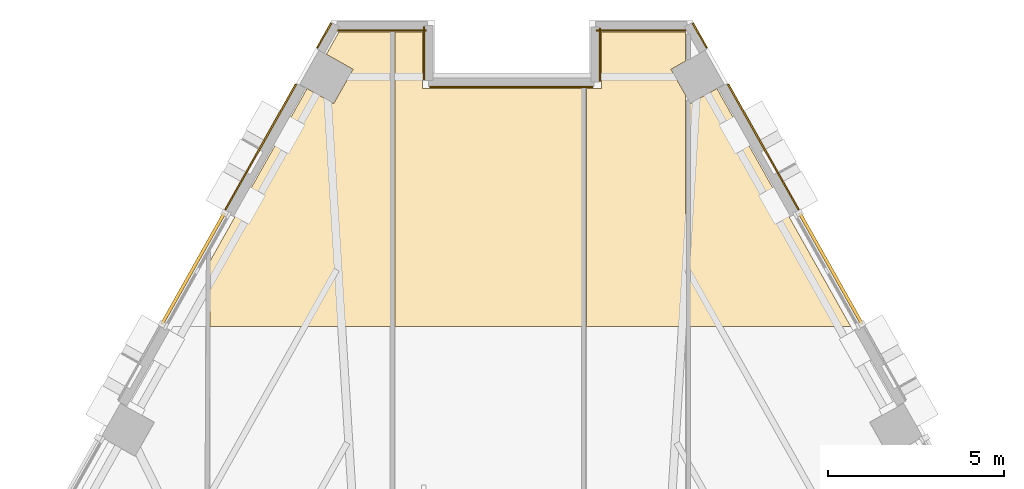
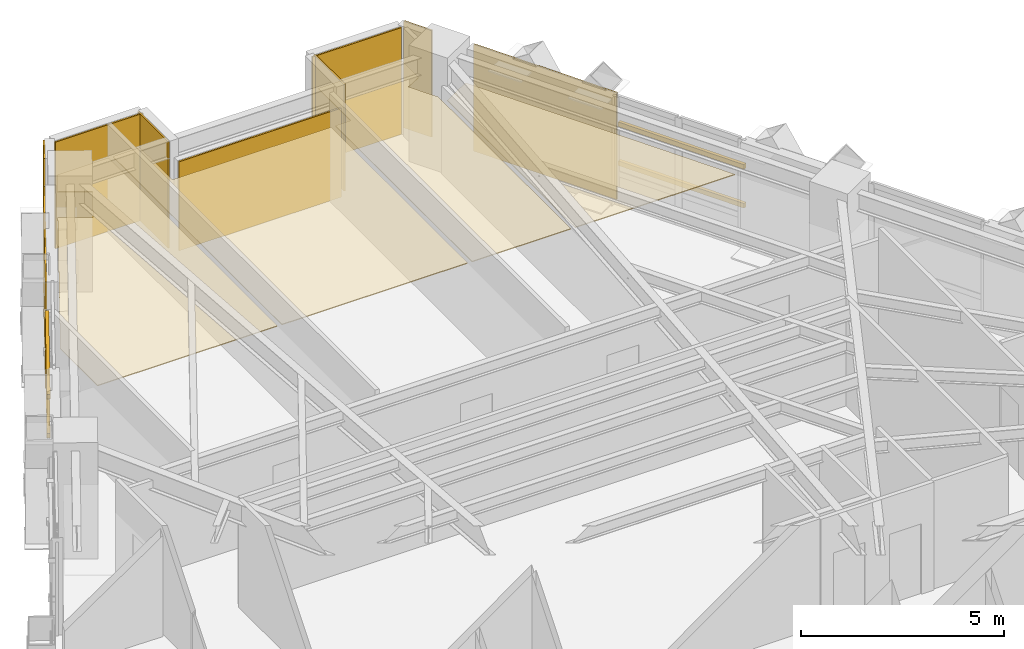
# One storey, part 14 of 14: 13 coverings, 4 shading devices.
"""IFC4 building model written with IfcOpenShell, lengths in metres."""

from ifc_helpers import new_model, si_unit, direction, frame, origin, origin_2d, place, context, subcontext, project, spatial, polyline, rectangle, outline, extrude, material, layer, layer_set, material_profile, profile_set, type_object, element, save


model = new_model("IFC4")

# Units and contexts
model_context = context("Model", 3, precision=1e-05, world=origin(), true_north=direction((0.0, 1.0)))
body_context = subcontext(model_context, "Body", "Model", "MODEL_VIEW")
ifc_project = project(units=[si_unit("LENGTHUNIT", "METRE"), si_unit("AREAUNIT", "SQUARE_METRE"), si_unit("VOLUMEUNIT", "CUBIC_METRE"), si_unit("PLANEANGLEUNIT", "RADIAN"), si_unit("MASSUNIT", "GRAM", prefix="KILO")], contexts=[model_context])

# Site, building, storey
site_placement = place(None, origin())
site = spatial("IfcSite", under=ifc_project, at=site_placement, CompositionType="ELEMENT")
building_placement = place(site_placement, origin())
building = spatial("IfcBuilding", under=site, at=building_placement, Name="Quenlor Broadcast Tower", CompositionType="ELEMENT")
storey_placement = place(building_placement, frame((0.0, 0.0, 80.10009765625)))
storey = spatial("IfcBuildingStorey", under=building, at=storey_placement, Name="L21", CompositionType="ELEMENT", Elevation=80.10009765625)

# Coverings
ifc_material_1 = material(Name="Acoustic Mineral Fibre Board", Category="other")
ifc_layer_1 = layer(ifc_material_1, 0.02490234375)
ifc_layer_set_1 = layer_set([ifc_layer_1], Name="Acoustic Perforated Mineral Tile Ceiling 25")
covering_type_1 = type_object("IfcCoveringType", Name="Acoustic Perforated Mineral Tile Ceiling 25", PredefinedType="CEILING", material=ifc_layer_set_1)
covering_1_placement = place(storey_placement, frame((0.0, 0.0, 2.224853515625)))
element("IfcCovering", 1, at=covering_1_placement, inside=storey, type_object=covering_type_1, Name="L21 Acoustic Ceiling L21-33-2", PredefinedType="CEILING", context=body_context, shape_type="SweptSolid", body=[
    extrude(outline(polyline([(4.919921875, 20.166748046875), (4.50244140625, 19.931884765625), (4.919921875, 19.189453125), (4.919921875, 12.64990234375), (2.103759765625, 12.64990234375), (2.103759765625, 19.387939453125), (2.5400390625, 19.387939453125), (2.5400390625, 20.988037109375), (4.904296875, 20.988037109375), (4.919921875, 20.959716796875), (4.919921875, 20.166748046875)])), origin(), (0.0, 0.0, 1.0), 0.025146484375),
])
covering_2_placement = place(storey_placement, frame((0.0, 0.0, 2.224853515625)))
element("IfcCovering", 2, at=covering_2_placement, inside=storey, type_object=covering_type_1, Name="L21 Acoustic Ceiling L21-34-2", PredefinedType="CEILING", context=body_context, shape_type="SweptSolid", body=[
    extrude(outline(polyline([(-3.31005859375, 20.988037109375), (-2.5400390625, 20.988037109375), (-2.5400390625, 19.387939453125), (1.98388671875, 19.387939453125), (1.98388671875, 12.64990234375), (-3.31005859375, 12.64990234375), (-3.31005859375, 20.988037109375)])), origin(), (0.0, 0.0, 1.0), 0.025146484375),
])
covering_3_placement = place(storey_placement, frame((0.0, 0.0, 2.224853515625)))
element("IfcCovering", 3, at=covering_3_placement, inside=storey, type_object=covering_type_1, Name="L21 Acoustic Ceiling L21-35-2", PredefinedType="CEILING", context=body_context, shape_type="SweptSolid", body=[
    extrude(outline(polyline([(-5.805908203125, 19.384765625), (-5.049560546875, 18.959228515625), (-4.50244140625, 19.931884765625), (-5.2587890625, 20.357421875), (-4.904296875, 20.988037109375), (-3.429931640625, 20.988037109375), (-3.429931640625, 12.64990234375), (-8.56005859375, 12.64990234375), (-8.56005859375, 14.48876953125), (-5.805908203125, 19.384765625)])), origin(), (0.0, 0.0, 1.0), 0.025146484375),
])
covering_4_placement = place(storey_placement, frame((0.0, 0.0, 2.224853515625)))
element("IfcCovering", 4, at=covering_4_placement, inside=storey, type_object=covering_type_1, Name="L21 Acoustic Ceiling L21-36-2", PredefinedType="CEILING", context=body_context, shape_type="SweptSolid", body=[
    extrude(outline(polyline([(5.0400390625, 18.97607421875), (5.049560546875, 18.959228515625), (5.805908203125, 19.384765625), (9.59423828125, 12.64990234375), (5.0400390625, 12.64990234375), (5.0400390625, 18.97607421875)])), origin(), (0.0, 0.0, 1.0), 0.025146484375),
])

# Shading devices
ifc_material_2 = material(Name="Architectural Terracotta Ceramic", Category="masonry")
ifc_material_profile = material_profile(ifc_material_2, rectangle(XDim=0.090087890625, YDim=0.139892578125, at=origin_2d()))
ifc_profile_set = profile_set([ifc_material_profile], Name="Architectural Terracotta Ceramic BAG90x140")
shading_device_type = type_object("IfcShadingDeviceType", Name="Copper Terracotta Baguette Solar Screen 140", PredefinedType="USERDEFINED", material=ifc_profile_set)
for number, where, z_axis, x_axis, name in (
    (5, (8.14697265625, 15.861572265625, 1.169921875), (0.490235552811, -0.871589985464, 0.0), (0.871589985464, 0.490235552811, 0.0), "L21 Terracotta Baguette Screen 1"),
    (6, (8.14697265625, 15.861572265625, 2.33984375), (0.490235552811, -0.871589985464, 0.0), (0.871589985464, 0.490235552811, 0.0), "L21 Terracotta Baguette Screen 2"),
    (7, (-9.916748046875, 12.715087890625, 1.169921875), (0.490235552811, 0.871589985464, 0.0), (-0.871589985464, 0.490235552811, 0.0), "L21 Terracotta Baguette Screen 1"),
    (8, (-9.916748046875, 12.715087890625, 2.33984375), (0.490235552811, 0.871589985464, 0.0), (-0.871589985464, 0.490235552811, 0.0), "L21 Terracotta Baguette Screen 2"),
):
    element("IfcShadingDevice", number, at=place(storey_placement, frame(where, z_axis=z_axis, x_axis=x_axis)), inside=storey, type_object=shading_device_type, Name=name, ObjectType="BAGUETTE", PredefinedType="USERDEFINED", context=body_context, shape_type="SweptSolid", body=[
        extrude(rectangle(XDim=0.090087890625, YDim=0.139892578125, at=origin_2d()), origin(), (0.0, 0.0, 1.0), 3.610107421875),
    ])

# Coverings
ifc_material_3 = material(Name="Architectural Terracotta Ceramic", Category="masonry")
ifc_layer_2 = layer(ifc_material_3, 0.044921875)
ifc_layer_set_2 = layer_set([ifc_layer_2], Name="Fluted Terracotta Rainscreen Cladding Panel")
covering_type_2 = type_object("IfcCoveringType", Name="Fluted Terracotta Rainscreen Cladding Panel", PredefinedType="CLADDING", material=ifc_layer_set_2)
covering_5_placement = place(storey_placement, frame((0.0, 0.0, 0.02001953125)))
element("IfcCovering", 9, at=covering_5_placement, inside=storey, type_object=covering_type_2, Name="L21 Terracotta Rainscreen Cladding L21-SHD-NES0", PredefinedType="CLADDING", context=body_context, shape_type="SweptSolid", body=[
    extrude(outline(polyline([(5.105224609375, 21.22607421875), (5.5, 20.524169921875), (5.539306640625, 20.546142578125), (5.144287109375, 21.248046875), (5.105224609375, 21.22607421875)])), origin(), (0.0, 0.0, 1.0), 3.2099609375),
])
covering_6_placement = place(storey_placement, frame((0.0, 0.0, 0.02001953125)))
element("IfcCovering", 10, at=covering_6_placement, inside=storey, type_object=covering_type_2, Name="L21 Terracotta Rainscreen Cladding L21-NEA-SP1", PredefinedType="CLADDING", context=body_context, shape_type="SweptSolid", body=[
    extrude(outline(polyline([(6.10107421875, 19.496826171875), (8.11279296875, 15.919921875), (8.152099609375, 15.94189453125), (6.14013671875, 19.518798828125), (6.10107421875, 19.496826171875)])), origin(), (0.0, 0.0, 1.0), 3.2099609375),
])
covering_7_placement = place(storey_placement, frame((0.0, 0.0, 0.02001953125)))
element("IfcCovering", 11, at=covering_7_placement, inside=storey, type_object=covering_type_2, Name="L21 Terracotta Rainscreen Cladding L21-SHD-NWS1", PredefinedType="CLADDING", context=body_context, shape_type="SweptSolid", body=[
    extrude(outline(polyline([(-5.5, 20.524169921875), (-5.105224609375, 21.22607421875), (-5.144287109375, 21.248046875), (-5.539306640625, 20.546142578125), (-5.5, 20.524169921875)])), origin(), (0.0, 0.0, 1.0), 3.2099609375),
])
covering_8_placement = place(storey_placement, frame((0.0, 0.0, 0.02001953125)))
element("IfcCovering", 12, at=covering_8_placement, inside=storey, type_object=covering_type_2, Name="L21 Terracotta Rainscreen Cladding L21-NWC-SP2", PredefinedType="CLADDING", context=body_context, shape_type="SweptSolid", body=[
    extrude(outline(polyline([(-8.11279296875, 15.919921875), (-6.10107421875, 19.496826171875), (-6.14013671875, 19.518798828125), (-8.152099609375, 15.94189453125), (-8.11279296875, 15.919921875)])), origin(), (0.0, 0.0, 1.0), 3.2099609375),
])
covering_9_placement = place(storey_placement, frame((0.0, 0.0, 0.02001953125)))
element("IfcCovering", 13, at=covering_9_placement, inside=storey, type_object=covering_type_2, Name="L21 Terracotta Rainscreen Cladding L21-CNR-06", PredefinedType="CLADDING", context=body_context, shape_type="SweptSolid", body=[
    extrude(outline(polyline([(4.929443359375, 21.055908203125), (2.389892578125, 21.055908203125), (2.389892578125, 21.010986328125), (4.929443359375, 21.010986328125), (4.929443359375, 21.055908203125)])), origin(), (0.0, 0.0, 1.0), 3.2099609375),
])
covering_10_placement = place(storey_placement, frame((0.0, 0.0, 0.02001953125)))
element("IfcCovering", 14, at=covering_10_placement, inside=storey, type_object=covering_type_2, Name="L21 Terracotta Rainscreen Cladding L21-CNR-07", PredefinedType="CLADDING", context=body_context, shape_type="SweptSolid", body=[
    extrude(outline(polyline([(2.471923828125, 21.097900390625), (2.471923828125, 19.597900390625), (2.51708984375, 19.597900390625), (2.51708984375, 21.097900390625), (2.471923828125, 21.097900390625)])), origin(), (0.0, 0.0, 1.0), 3.2099609375),
])
covering_11_placement = place(storey_placement, frame((0.0, 0.0, 0.02001953125)))
element("IfcCovering", 15, at=covering_11_placement, inside=storey, type_object=covering_type_2, Name="L21 Terracotta Rainscreen Cladding L21-CNR-08", PredefinedType="CLADDING", context=body_context, shape_type="SweptSolid", body=[
    extrude(outline(polyline([(2.2900390625, 19.4560546875), (-2.330078125, 19.4560546875), (-2.330078125, 19.410888671875), (2.2900390625, 19.410888671875), (2.2900390625, 19.4560546875)])), origin(), (0.0, 0.0, 1.0), 2.681640625),
])
covering_12_placement = place(storey_placement, frame((0.0, 0.0, 0.02001953125)))
element("IfcCovering", 16, at=covering_12_placement, inside=storey, type_object=covering_type_2, Name="L21 Terracotta Rainscreen Cladding L21-CNR-09", PredefinedType="CLADDING", context=body_context, shape_type="SweptSolid", body=[
    extrude(outline(polyline([(-2.471923828125, 19.637939453125), (-2.471923828125, 21.137939453125), (-2.51708984375, 21.137939453125), (-2.51708984375, 19.637939453125), (-2.471923828125, 19.637939453125)])), origin(), (0.0, 0.0, 1.0), 3.2099609375),
])
covering_13_placement = place(storey_placement, frame((0.0, 0.0, 0.02001953125)))
element("IfcCovering", 17, at=covering_13_placement, inside=storey, type_object=covering_type_2, Name="L21 Terracotta Rainscreen Cladding L21-CNR-10", PredefinedType="CLADDING", context=body_context, shape_type="SweptSolid", body=[
    extrude(outline(polyline([(-2.429931640625, 21.055908203125), (-4.929443359375, 21.055908203125), (-4.929443359375, 21.010986328125), (-2.429931640625, 21.010986328125), (-2.429931640625, 21.055908203125)])), origin(), (0.0, 0.0, 1.0), 3.2099609375),
])

save(model, "model.ifc")
